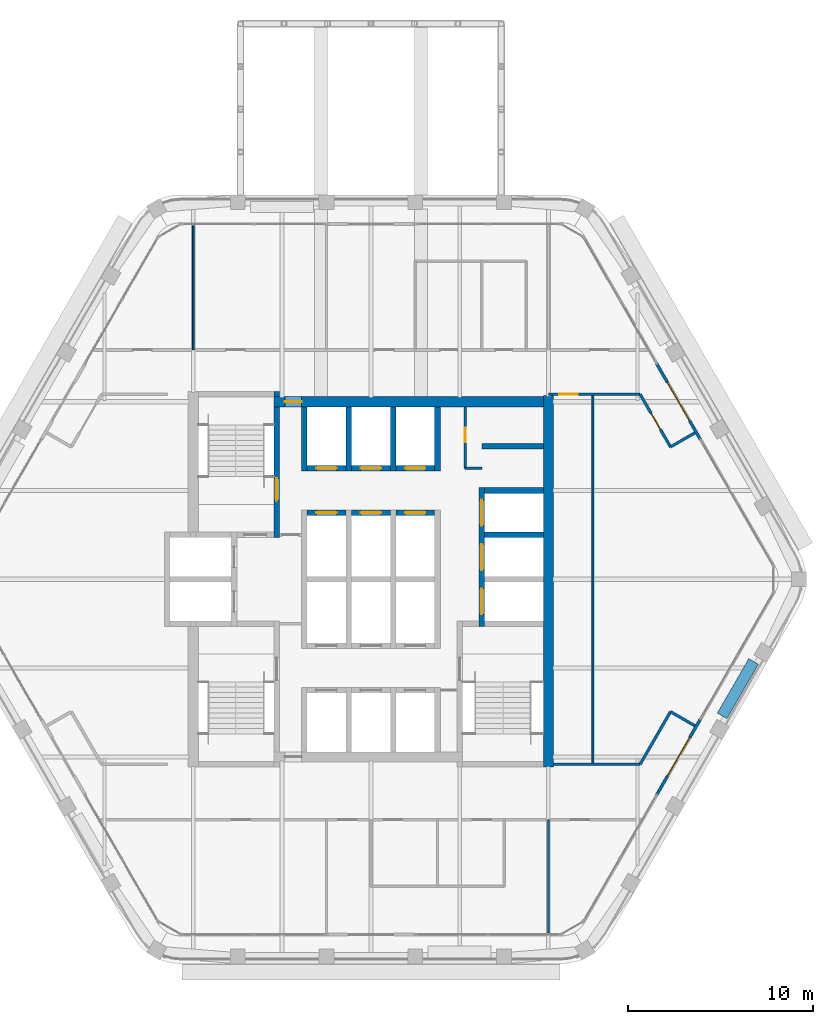
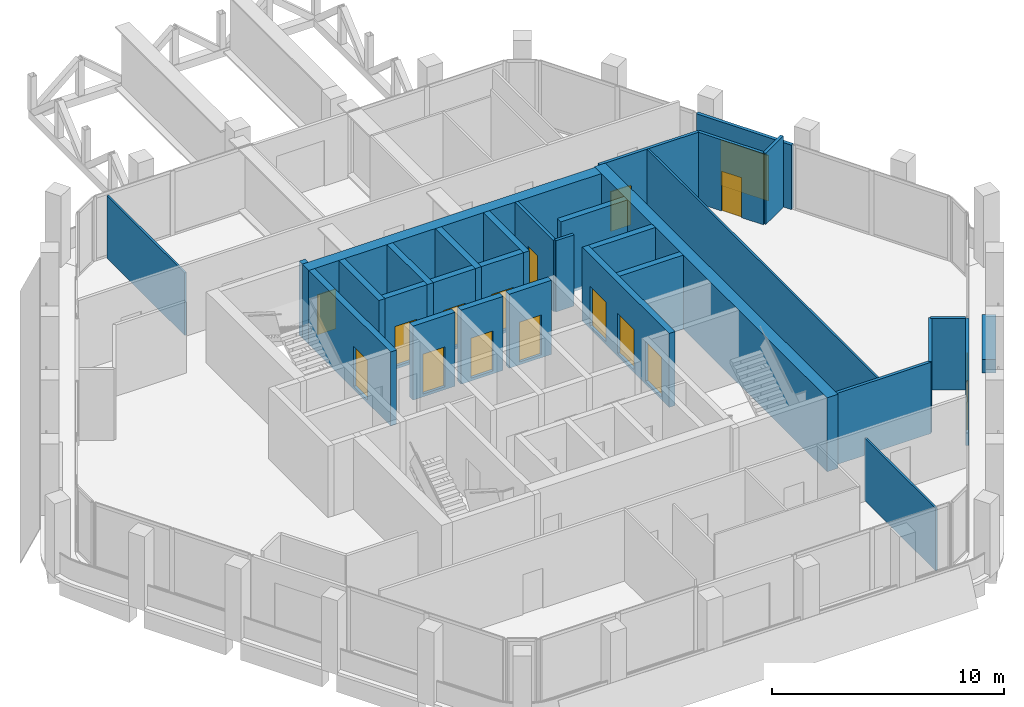
# One storey, part 10 of 14: 32 walls, 16 doors, 16 openings.
"""IFC4 building model written with IfcOpenShell, lengths in metres."""

from ifc_helpers import new_model, si_unit, direction, frame, frame_2d, origin, place, context, subcontext, project, spatial, rectangle, extrude, material, layer, layer_set, type_object, element, fill, save


model = new_model("IFC4")

# Units and contexts
model_context = context("Model", 3, precision=1e-05, world=origin(), true_north=direction((0.0, 1.0)))
body_context = subcontext(model_context, "Body", "Model", "MODEL_VIEW")
ifc_project = project(units=[si_unit("LENGTHUNIT", "METRE"), si_unit("AREAUNIT", "SQUARE_METRE"), si_unit("VOLUMEUNIT", "CUBIC_METRE"), si_unit("PLANEANGLEUNIT", "RADIAN"), si_unit("MASSUNIT", "GRAM", prefix="KILO")], contexts=[model_context])

# Site, building, storey
site_placement = place(None, origin())
site = spatial("IfcSite", under=ifc_project, at=site_placement, CompositionType="ELEMENT")
building_placement = place(site_placement, origin())
building = spatial("IfcBuilding", under=site, at=building_placement, Name="Kolab Exchange Tower", CompositionType="ELEMENT")
storey_placement = place(building_placement, frame((0.0, 0.0, 265.699951171875)))
storey = spatial("IfcBuildingStorey", under=building, at=storey_placement, Name="L59", CompositionType="ELEMENT", Elevation=265.699951171875)

# Wall, opening, door
ifc_material_1 = material(Name="Concrete C50/60", Category="concrete")
ifc_layer_1 = layer(ifc_material_1, 0.550048828125)
ifc_layer_set_1 = layer_set([ifc_layer_1], Name="Concrete C50/60")
wall_type_1 = type_object("IfcWallType", Name="CORE WALL 550 C50/60", PredefinedType="SHEAR", material=ifc_layer_set_1)
wall_1_placement = place(storey_placement, frame((-5.25, 9.60009765625, -0.14990234375), z_axis=(0.0, 0.0, 1.0), x_axis=(1.0, 0.0, 0.0)))
wall_1 = element("IfcWall", 1, at=wall_1_placement, inside=storey, type_object=wall_type_1, Name="wall/L59/core/031", PredefinedType="SHEAR", context=body_context, shape_type="SweptSolid", body=[
    extrude(rectangle(XDim=14.574951171875, YDim=0.550048828125, at=frame_2d((7.28759765625, 0.0))), origin(), (0.0, 0.0, 1.0), 3.89990234375),
])
opening_1_placement = place(wall_1_placement, frame((0.60009765625, 0.0, 0.14990234375)))
opening_1 = element("IfcOpeningElement", 2, at=opening_1_placement, cuts=wall_1, Name="Opening D6-295", PredefinedType="OPENING", context=body_context, shape_type="SweptSolid", body=[
    extrude(rectangle(XDim=0.89990234375, YDim=2.10009765625, at=frame_2d((0.449951171875, 1.050048828125))), frame((0.0, 0.28515625, 0.0), z_axis=(0.0, -1.0, 0.0), x_axis=(1.0, 0.0, 0.0)), (0.0, 0.0, 1.0), 0.570068359375),
])
ifc_material_2 = material(Name="Steel S235", Category="steel")
door_type_1 = type_object("IfcDoorType", Name="CORE DOOR 900 EI 120", OperationType="SINGLE_SWING_LEFT", PredefinedType="DOOR", material=ifc_material_2)
door_1_placement = place(opening_1_placement, frame((0.89990234375, 0.0, 0.0), z_axis=(0.0, 0.0, 1.0), x_axis=(-1.0, 0.0, 0.0)))
door_1 = element("IfcDoor", 3, at=door_1_placement, inside=storey, type_object=door_type_1, Name="Core lobby door", OperationType="SINGLE_SWING_RIGHT", OverallHeight=2.10009765625, OverallWidth=0.89990234375, PredefinedType="DOOR", context=body_context, shape_type="SweptSolid", body=[
    extrude(rectangle(XDim=0.89990234375, YDim=2.10009765625, at=frame_2d((0.449951171875, 1.050048828125))), frame((0.0, 0.02490234375, 0.0), z_axis=(0.0, -1.0, 0.0), x_axis=(1.0, 0.0, 0.0)), (0.0, 0.0, 1.0), 0.050048828125),
])
fill(opening_1, door_1)

# Wall
wall_2_placement = place(storey_placement, frame((9.60009765625, -10.14990234375, -0.14990234375), z_axis=(0.0, 0.0, 1.0), x_axis=(0.0, 1.0, 0.0)))
element("IfcWall", 4, at=wall_2_placement, inside=storey, type_object=wall_type_1, Name="wall/L59/core/058", PredefinedType="SHEAR", context=body_context, shape_type="SweptSolid", body=[
    extrude(rectangle(XDim=20.074951171875, YDim=0.550048828125, at=frame_2d((10.03759765625, 0.0))), origin(), (0.0, 0.0, 1.0), 3.89990234375),
])

# Wall, opening, door
ifc_material_3 = material(Name="Aluminium EN AW-6063 T6", Category="aluminium")
ifc_layer_2 = layer(ifc_material_3, 0.159912109375)
ifc_layer_set_2 = layer_set([ifc_layer_2], Name="Aluminium EN AW-6063 T6")
wall_type_2 = type_object("IfcWallType", Name="DOOR SURROUND WALL 160 ALUMINIUM FRAMED", PredefinedType="PARTITIONING", material=ifc_layer_set_2)
wall_3_placement = place(storey_placement, frame((15.44677734375, 11.65478515625, 0.0), z_axis=(0.0, 0.0, 1.0), x_axis=(0.499978080042, -0.866038058908, 0.0)))
wall_3 = element("IfcWall", 5, at=wall_3_placement, inside=storey, type_object=wall_type_2, Name="Door surround wall", PredefinedType="PARTITIONING", context=body_context, shape_type="SweptSolid", body=[
    extrude(rectangle(XDim=4.739990234375, YDim=0.159912109375, at=frame_2d((2.3701171875, 0.0))), origin(), (0.0, 0.0, 1.0), 3.400146484375),
])
opening_2_placement = place(wall_3_placement, frame((1.169921875, 0.0, 0.0)))
opening_2 = element("IfcOpeningElement", 6, at=opening_2_placement, cuts=wall_3, Name="Opening GD1-109", PredefinedType="OPENING", context=body_context, shape_type="SweptSolid", body=[
    extrude(rectangle(XDim=2.39990234375, YDim=2.39990234375, at=frame_2d((1.199951171875, 1.199951171875))), frame((0.0, 0.08984375, 0.0), z_axis=(0.0, -1.0, 0.0), x_axis=(1.0, 0.0, 0.0)), (0.0, 0.0, 1.0), 0.179931640625),
])
door_type_2 = type_object("IfcDoorType", Name="LOGGIA SLIDING GLASS DOOR 2400 X 2400", OperationType="DOUBLE_DOOR_SINGLE_SWING", PredefinedType="DOOR", material=ifc_material_3)
door_2_placement = place(opening_2_placement, origin())
door_2 = element("IfcDoor", 7, at=door_2_placement, inside=storey, type_object=door_type_2, Name="Loggia door", OperationType="DOUBLE_DOOR_SLIDING", OverallHeight=2.39990234375, OverallWidth=2.39990234375, PredefinedType="DOOR", context=body_context, shape_type="SweptSolid", body=[
    extrude(rectangle(XDim=2.39990234375, YDim=2.39990234375, at=frame_2d((1.199951171875, 1.199951171875))), frame((0.0, 0.02490234375, 0.0), z_axis=(0.0, -1.0, 0.0), x_axis=(1.0, 0.0, 0.0)), (0.0, 0.0, 1.0), 0.050048828125),
])
fill(opening_2, door_2)

wall_4_placement = place(storey_placement, frame((17.816650390625, -7.5498046875, 0.0), z_axis=(0.0, 0.0, 1.0), x_axis=(-0.499978080042, -0.866038058908, 0.0)))
wall_4 = element("IfcWall", 8, at=wall_4_placement, inside=storey, type_object=wall_type_2, Name="Door surround wall", PredefinedType="PARTITIONING", context=body_context, shape_type="SweptSolid", body=[
    extrude(rectangle(XDim=4.739990234375, YDim=0.159912109375, at=frame_2d((2.3701171875, 0.0))), origin(), (0.0, 0.0, 1.0), 3.400146484375),
])
opening_3_placement = place(wall_4_placement, frame((1.169921875, 0.0, 0.0)))
opening_3 = element("IfcOpeningElement", 9, at=opening_3_placement, cuts=wall_4, Name="Opening GD1-110", PredefinedType="OPENING", context=body_context, shape_type="SweptSolid", body=[
    extrude(rectangle(XDim=2.39990234375, YDim=2.39990234375, at=frame_2d((1.199951171875, 1.199951171875))), frame((0.0, 0.08984375, 0.0), z_axis=(0.0, -1.0, 0.0), x_axis=(1.0, 0.0, 0.0)), (0.0, 0.0, 1.0), 0.179931640625),
])
door_3_placement = place(opening_3_placement, origin())
door_3 = element("IfcDoor", 10, at=door_3_placement, inside=storey, type_object=door_type_2, Name="Loggia door", OperationType="DOUBLE_DOOR_SLIDING", OverallHeight=2.39990234375, OverallWidth=2.39990234375, PredefinedType="DOOR", context=body_context, shape_type="SweptSolid", body=[
    extrude(rectangle(XDim=2.39990234375, YDim=2.39990234375, at=frame_2d((1.199951171875, 1.199951171875))), frame((0.0, 0.02490234375, 0.0), z_axis=(0.0, -1.0, 0.0), x_axis=(1.0, 0.0, 0.0)), (0.0, 0.0, 1.0), 0.050048828125),
])
fill(opening_3, door_3)

# Wall
ifc_layer_3 = layer(ifc_material_1, 0.300048828125)
ifc_layer_set_3 = layer_set([ifc_layer_3], Name="Concrete C50/60")
wall_type_3 = type_object("IfcWallType", Name="LIFT SHAFT WALL 300 C50/60", PredefinedType="STANDARD", material=ifc_layer_set_3)
wall_5_placement = place(storey_placement, frame((6.14990234375, 2.39990234375, -0.14990234375), z_axis=(0.0, 0.0, 1.0), x_axis=(1.0, 0.0, 0.0)))
element("IfcWall", 11, at=wall_5_placement, inside=storey, type_object=wall_type_3, Name="wall/L59/core/022", PredefinedType="STANDARD", context=body_context, shape_type="SweptSolid", body=[
    extrude(rectangle(XDim=3.175048828125, YDim=0.300048828125, at=frame_2d((1.58740234375, 0.0))), origin(), (0.0, 0.0, 1.0), 3.89990234375),
])

# Wall, opening, door
wall_6_placement = place(storey_placement, frame((-3.449951171875, 3.60009765625, -0.14990234375), z_axis=(0.0, 0.0, 1.0), x_axis=(1.0, 0.0, 0.0)))
wall_6 = element("IfcWall", 12, at=wall_6_placement, inside=storey, type_object=wall_type_3, Name="wall/L59/core/023", PredefinedType="STANDARD", context=body_context, shape_type="SweptSolid", body=[
    extrude(rectangle(XDim=2.099853515625, YDim=0.300048828125, at=frame_2d((1.0498046875, 0.0))), origin(), (0.0, 0.0, 1.0), 3.89990234375),
])
opening_4_placement = place(wall_6_placement, frame((0.5, 0.0, 0.14990234375)))
opening_4 = element("IfcOpeningElement", 13, at=opening_4_placement, cuts=wall_6, Name="Opening LD1-115", PredefinedType="OPENING", context=body_context, shape_type="SweptSolid", body=[
    extrude(rectangle(XDim=1.10009765625, YDim=2.10009765625, at=frame_2d((0.550048828125, 1.050048828125))), frame((0.0, 0.16015625, 0.0), z_axis=(0.0, -1.0, 0.0), x_axis=(1.0, 0.0, 0.0)), (0.0, 0.0, 1.0), 0.320068359375),
])
ifc_material_4 = material(Name="Stainless steel 316", Category="steel")
door_type_3 = type_object("IfcDoorType", Name="LANDING DOOR 1100 PASSENGER", OperationType="DOUBLE_DOOR_SLIDING", PredefinedType="DOOR", material=ifc_material_4)
door_4_placement = place(opening_4_placement, origin())
door_4 = element("IfcDoor", 14, at=door_4_placement, inside=storey, type_object=door_type_3, Name="Landing door HR4", OperationType="DOUBLE_DOOR_SLIDING", OverallHeight=2.10009765625, OverallWidth=1.10009765625, PredefinedType="DOOR", context=body_context, shape_type="SweptSolid", body=[
    extrude(rectangle(XDim=1.10009765625, YDim=2.10009765625, at=frame_2d((0.550048828125, 1.050048828125))), frame((0.0, 0.02490234375, 0.0), z_axis=(0.0, -1.0, 0.0), x_axis=(1.0, 0.0, 0.0)), (0.0, 0.0, 1.0), 0.050048828125),
])
fill(opening_4, door_4)

wall_7_placement = place(storey_placement, frame((-1.050048828125, 3.60009765625, -0.14990234375), z_axis=(0.0, 0.0, 1.0), x_axis=(1.0, 0.0, 0.0)))
wall_7 = element("IfcWall", 15, at=wall_7_placement, inside=storey, type_object=wall_type_3, Name="wall/L59/core/024", PredefinedType="STANDARD", context=body_context, shape_type="SweptSolid", body=[
    extrude(rectangle(XDim=2.10009765625, YDim=0.300048828125, at=frame_2d((1.050048828125, 0.0))), origin(), (0.0, 0.0, 1.0), 3.89990234375),
])
opening_5_placement = place(wall_7_placement, frame((0.5, 0.0, 0.14990234375)))
opening_5 = element("IfcOpeningElement", 16, at=opening_5_placement, cuts=wall_7, Name="Opening LD1-116", PredefinedType="OPENING", context=body_context, shape_type="SweptSolid", body=[
    extrude(rectangle(XDim=1.10009765625, YDim=2.10009765625, at=frame_2d((0.550048828125, 1.050048828125))), frame((0.0, 0.16015625, 0.0), z_axis=(0.0, -1.0, 0.0), x_axis=(1.0, 0.0, 0.0)), (0.0, 0.0, 1.0), 0.320068359375),
])
door_5_placement = place(opening_5_placement, origin())
door_5 = element("IfcDoor", 17, at=door_5_placement, inside=storey, type_object=door_type_3, Name="Landing door HR5", OperationType="DOUBLE_DOOR_SLIDING", OverallHeight=2.10009765625, OverallWidth=1.10009765625, PredefinedType="DOOR", context=body_context, shape_type="SweptSolid", body=[
    extrude(rectangle(XDim=1.10009765625, YDim=2.10009765625, at=frame_2d((0.550048828125, 1.050048828125))), frame((0.0, 0.02490234375, 0.0), z_axis=(0.0, -1.0, 0.0), x_axis=(1.0, 0.0, 0.0)), (0.0, 0.0, 1.0), 0.050048828125),
])
fill(opening_5, door_5)

wall_8_placement = place(storey_placement, frame((1.35009765625, 3.60009765625, -0.14990234375), z_axis=(0.0, 0.0, 1.0), x_axis=(1.0, 0.0, 0.0)))
wall_8 = element("IfcWall", 18, at=wall_8_placement, inside=storey, type_object=wall_type_3, Name="wall/L59/core/025", PredefinedType="STANDARD", context=body_context, shape_type="SweptSolid", body=[
    extrude(rectangle(XDim=2.099853515625, YDim=0.300048828125, at=frame_2d((1.0498046875, 0.0))), origin(), (0.0, 0.0, 1.0), 3.89990234375),
])
opening_6_placement = place(wall_8_placement, frame((0.5, 0.0, 0.14990234375)))
opening_6 = element("IfcOpeningElement", 19, at=opening_6_placement, cuts=wall_8, Name="Opening LD1-117", PredefinedType="OPENING", context=body_context, shape_type="SweptSolid", body=[
    extrude(rectangle(XDim=1.10009765625, YDim=2.10009765625, at=frame_2d((0.550048828125, 1.050048828125))), frame((0.0, 0.16015625, 0.0), z_axis=(0.0, -1.0, 0.0), x_axis=(1.0, 0.0, 0.0)), (0.0, 0.0, 1.0), 0.320068359375),
])
door_6_placement = place(opening_6_placement, origin())
door_6 = element("IfcDoor", 20, at=door_6_placement, inside=storey, type_object=door_type_3, Name="Landing door HR6", OperationType="DOUBLE_DOOR_SLIDING", OverallHeight=2.10009765625, OverallWidth=1.10009765625, PredefinedType="DOOR", context=body_context, shape_type="SweptSolid", body=[
    extrude(rectangle(XDim=1.10009765625, YDim=2.10009765625, at=frame_2d((0.550048828125, 1.050048828125))), frame((0.0, 0.02490234375, 0.0), z_axis=(0.0, -1.0, 0.0), x_axis=(1.0, 0.0, 0.0)), (0.0, 0.0, 1.0), 0.050048828125),
])
fill(opening_6, door_6)

# Wall
wall_9_placement = place(storey_placement, frame((6.14990234375, 4.800048828125, -0.14990234375), z_axis=(0.0, 0.0, 1.0), x_axis=(1.0, 0.0, 0.0)))
element("IfcWall", 21, at=wall_9_placement, inside=storey, type_object=wall_type_3, Name="wall/L59/core/026", PredefinedType="STANDARD", context=body_context, shape_type="SweptSolid", body=[
    extrude(rectangle(XDim=3.175048828125, YDim=0.300048828125, at=frame_2d((1.58740234375, 0.0))), origin(), (0.0, 0.0, 1.0), 3.89990234375),
])

# Wall, opening, door
wall_10_placement = place(storey_placement, frame((-3.449951171875, 6.0, -0.14990234375), z_axis=(0.0, 0.0, 1.0), x_axis=(1.0, 0.0, 0.0)))
wall_10 = element("IfcWall", 22, at=wall_10_placement, inside=storey, type_object=wall_type_3, Name="wall/L59/core/027", PredefinedType="STANDARD", context=body_context, shape_type="SweptSolid", body=[
    extrude(rectangle(XDim=2.099853515625, YDim=0.300048828125, at=frame_2d((1.0498046875, 0.0))), origin(), (0.0, 0.0, 1.0), 3.89990234375),
])
opening_7_placement = place(wall_10_placement, frame((0.5, 0.0, 0.14990234375)))
opening_7 = element("IfcOpeningElement", 23, at=opening_7_placement, cuts=wall_10, Name="Opening LD1-109", PredefinedType="OPENING", context=body_context, shape_type="SweptSolid", body=[
    extrude(rectangle(XDim=1.10009765625, YDim=2.10009765625, at=frame_2d((0.550048828125, 1.050048828125))), frame((0.0, 0.16015625, 0.0), z_axis=(0.0, -1.0, 0.0), x_axis=(1.0, 0.0, 0.0)), (0.0, 0.0, 1.0), 0.320068359375),
])
door_7_placement = place(opening_7_placement, origin())
door_7 = element("IfcDoor", 24, at=door_7_placement, inside=storey, type_object=door_type_3, Name="Landing door HR1", OperationType="DOUBLE_DOOR_SLIDING", OverallHeight=2.10009765625, OverallWidth=1.10009765625, PredefinedType="DOOR", context=body_context, shape_type="SweptSolid", body=[
    extrude(rectangle(XDim=1.10009765625, YDim=2.10009765625, at=frame_2d((0.550048828125, 1.050048828125))), frame((0.0, 0.02490234375, 0.0), z_axis=(0.0, -1.0, 0.0), x_axis=(1.0, 0.0, 0.0)), (0.0, 0.0, 1.0), 0.050048828125),
])
fill(opening_7, door_7)

wall_11_placement = place(storey_placement, frame((-1.050048828125, 6.0, -0.14990234375), z_axis=(0.0, 0.0, 1.0), x_axis=(1.0, 0.0, 0.0)))
wall_11 = element("IfcWall", 25, at=wall_11_placement, inside=storey, type_object=wall_type_3, Name="wall/L59/core/028", PredefinedType="STANDARD", context=body_context, shape_type="SweptSolid", body=[
    extrude(rectangle(XDim=2.10009765625, YDim=0.300048828125, at=frame_2d((1.050048828125, 0.0))), origin(), (0.0, 0.0, 1.0), 3.89990234375),
])
opening_8_placement = place(wall_11_placement, frame((0.5, 0.0, 0.14990234375)))
opening_8 = element("IfcOpeningElement", 26, at=opening_8_placement, cuts=wall_11, Name="Opening LD1-113", PredefinedType="OPENING", context=body_context, shape_type="SweptSolid", body=[
    extrude(rectangle(XDim=1.10009765625, YDim=2.10009765625, at=frame_2d((0.550048828125, 1.050048828125))), frame((0.0, 0.16015625, 0.0), z_axis=(0.0, -1.0, 0.0), x_axis=(1.0, 0.0, 0.0)), (0.0, 0.0, 1.0), 0.320068359375),
])
door_8_placement = place(opening_8_placement, origin())
door_8 = element("IfcDoor", 27, at=door_8_placement, inside=storey, type_object=door_type_3, Name="Landing door HR2", OperationType="DOUBLE_DOOR_SLIDING", OverallHeight=2.10009765625, OverallWidth=1.10009765625, PredefinedType="DOOR", context=body_context, shape_type="SweptSolid", body=[
    extrude(rectangle(XDim=1.10009765625, YDim=2.10009765625, at=frame_2d((0.550048828125, 1.050048828125))), frame((0.0, 0.02490234375, 0.0), z_axis=(0.0, -1.0, 0.0), x_axis=(1.0, 0.0, 0.0)), (0.0, 0.0, 1.0), 0.050048828125),
])
fill(opening_8, door_8)

wall_12_placement = place(storey_placement, frame((1.35009765625, 6.0, -0.14990234375), z_axis=(0.0, 0.0, 1.0), x_axis=(1.0, 0.0, 0.0)))
wall_12 = element("IfcWall", 28, at=wall_12_placement, inside=storey, type_object=wall_type_3, Name="wall/L59/core/029", PredefinedType="STANDARD", context=body_context, shape_type="SweptSolid", body=[
    extrude(rectangle(XDim=2.099853515625, YDim=0.300048828125, at=frame_2d((1.0498046875, 0.0))), origin(), (0.0, 0.0, 1.0), 3.89990234375),
])
opening_9_placement = place(wall_12_placement, frame((0.5, 0.0, 0.14990234375)))
opening_9 = element("IfcOpeningElement", 29, at=opening_9_placement, cuts=wall_12, Name="Opening LD1-114", PredefinedType="OPENING", context=body_context, shape_type="SweptSolid", body=[
    extrude(rectangle(XDim=1.10009765625, YDim=2.10009765625, at=frame_2d((0.550048828125, 1.050048828125))), frame((0.0, 0.16015625, 0.0), z_axis=(0.0, -1.0, 0.0), x_axis=(1.0, 0.0, 0.0)), (0.0, 0.0, 1.0), 0.320068359375),
])
door_9_placement = place(opening_9_placement, origin())
door_9 = element("IfcDoor", 30, at=door_9_placement, inside=storey, type_object=door_type_3, Name="Landing door HR3", OperationType="DOUBLE_DOOR_SLIDING", OverallHeight=2.10009765625, OverallWidth=1.10009765625, PredefinedType="DOOR", context=body_context, shape_type="SweptSolid", body=[
    extrude(rectangle(XDim=1.10009765625, YDim=2.10009765625, at=frame_2d((0.550048828125, 1.050048828125))), frame((0.0, 0.02490234375, 0.0), z_axis=(0.0, -1.0, 0.0), x_axis=(1.0, 0.0, 0.0)), (0.0, 0.0, 1.0), 0.050048828125),
])
fill(opening_9, door_9)

# Walls
wall_13_placement = place(storey_placement, frame((6.0, 7.199951171875, -0.14990234375), z_axis=(0.0, 0.0, 1.0), x_axis=(1.0, 0.0, 0.0)))
element("IfcWall", 31, at=wall_13_placement, inside=storey, type_object=wall_type_3, Name="wall/L59/core/030", PredefinedType="STANDARD", context=body_context, shape_type="SweptSolid", body=[
    extrude(rectangle(XDim=3.324951171875, YDim=0.300048828125, at=frame_2d((1.66259765625, 0.0))), origin(), (0.0, 0.0, 1.0), 3.89990234375),
])
for number, where, z_axis, x_axis, name in (
    (32, (-3.60009765625, 5.85009765625, -0.14990234375), (0.0, 0.0, 1.0), (0.0, 1.0, 0.0), "wall/L59/core/045"),
    (33, (-1.199951171875, 5.85009765625, -0.14990234375), (0.0, 0.0, 1.0), (0.0, 1.0, 0.0), "wall/L59/core/048"),
    (34, (1.199951171875, 5.85009765625, -0.14990234375), (0.0, 0.0, 1.0), (0.0, 1.0, 0.0), "wall/L59/core/051"),
    (35, (3.60009765625, 5.85009765625, -0.14990234375), (0.0, 0.0, 1.0), (0.0, 1.0, 0.0), "wall/L59/core/054"),
):
    element("IfcWall", number, at=place(storey_placement, frame(where, z_axis=z_axis, x_axis=x_axis)), inside=storey, type_object=wall_type_3, Name=name, PredefinedType="STANDARD", context=body_context, shape_type="SweptSolid", body=[
        extrude(rectangle(XDim=3.474853515625, YDim=0.300048828125, at=frame_2d((1.7373046875, 0.0))), origin(), (0.0, 0.0, 1.0), 3.89990234375),
    ])

# Wall, openings, doors
wall_14_placement = place(storey_placement, frame((6.0, -2.550048828125, -0.14990234375), z_axis=(0.0, 0.0, 1.0), x_axis=(0.0, 1.0, 0.0)))
wall_14 = element("IfcWall", 36, at=wall_14_placement, inside=storey, type_object=wall_type_3, Name="wall/L59/core/057", PredefinedType="STANDARD", context=body_context, shape_type="SweptSolid", body=[
    extrude(rectangle(XDim=7.5, YDim=0.300048828125, at=frame_2d((3.75, 0.0))), origin(), (0.0, 0.0, 1.0), 3.89990234375),
])
opening_10_placement = place(wall_14_placement, frame((0.64990234375, 0.0, 0.14990234375)))
opening_10 = element("IfcOpeningElement", 37, at=opening_10_placement, cuts=wall_14, Name="Opening LD3-037", PredefinedType="OPENING", context=body_context, shape_type="SweptSolid", body=[
    extrude(rectangle(XDim=1.39990234375, YDim=2.10009765625, at=frame_2d((0.699951171875, 1.050048828125))), frame((0.0, 0.16015625, 0.0), z_axis=(0.0, -1.0, 0.0), x_axis=(1.0, 0.0, 0.0)), (0.0, 0.0, 1.0), 0.320068359375),
])
opening_11_placement = place(wall_14_placement, frame((3.050048828125, 0.0, 0.14990234375)))
opening_11 = element("IfcOpeningElement", 38, at=opening_11_placement, cuts=wall_14, Name="Opening LD3-038", PredefinedType="OPENING", context=body_context, shape_type="SweptSolid", body=[
    extrude(rectangle(XDim=1.39990234375, YDim=2.10009765625, at=frame_2d((0.699951171875, 1.050048828125))), frame((0.0, 0.16015625, 0.0), z_axis=(0.0, -1.0, 0.0), x_axis=(1.0, 0.0, 0.0)), (0.0, 0.0, 1.0), 0.320068359375),
])
opening_12_placement = place(wall_14_placement, frame((5.449951171875, 0.0, 0.14990234375)))
opening_12 = element("IfcOpeningElement", 39, at=opening_12_placement, cuts=wall_14, Name="Opening LD3-039", PredefinedType="OPENING", context=body_context, shape_type="SweptSolid", body=[
    extrude(rectangle(XDim=1.39990234375, YDim=2.10009765625, at=frame_2d((0.699951171875, 1.050048828125))), frame((0.0, 0.16015625, 0.0), z_axis=(0.0, -1.0, 0.0), x_axis=(1.0, 0.0, 0.0)), (0.0, 0.0, 1.0), 0.320068359375),
])
door_type_4 = type_object("IfcDoorType", Name="LANDING DOOR 1400 SERVICE", OperationType="DOUBLE_DOOR_SLIDING", PredefinedType="DOOR", material=ifc_material_4)
door_10_placement = place(opening_10_placement, origin())
door_10 = element("IfcDoor", 40, at=door_10_placement, inside=storey, type_object=door_type_4, Name="Landing door SV1", OperationType="DOUBLE_DOOR_SLIDING", OverallHeight=2.10009765625, OverallWidth=1.39990234375, PredefinedType="DOOR", context=body_context, shape_type="SweptSolid", body=[
    extrude(rectangle(XDim=1.39990234375, YDim=2.10009765625, at=frame_2d((0.699951171875, 1.050048828125))), frame((0.0, 0.02490234375, 0.0), z_axis=(0.0, -1.0, 0.0), x_axis=(1.0, 0.0, 0.0)), (0.0, 0.0, 1.0), 0.050048828125),
])
fill(opening_10, door_10)
door_11_placement = place(opening_11_placement, origin())
door_11 = element("IfcDoor", 41, at=door_11_placement, inside=storey, type_object=door_type_4, Name="Landing door SV2", OperationType="DOUBLE_DOOR_SLIDING", OverallHeight=2.10009765625, OverallWidth=1.39990234375, PredefinedType="DOOR", context=body_context, shape_type="SweptSolid", body=[
    extrude(rectangle(XDim=1.39990234375, YDim=2.10009765625, at=frame_2d((0.699951171875, 1.050048828125))), frame((0.0, 0.02490234375, 0.0), z_axis=(0.0, -1.0, 0.0), x_axis=(1.0, 0.0, 0.0)), (0.0, 0.0, 1.0), 0.050048828125),
])
fill(opening_11, door_11)
door_12_placement = place(opening_12_placement, origin())
door_12 = element("IfcDoor", 42, at=door_12_placement, inside=storey, type_object=door_type_4, Name="Landing door SV3", OperationType="DOUBLE_DOOR_SLIDING", OverallHeight=2.10009765625, OverallWidth=1.39990234375, PredefinedType="DOOR", context=body_context, shape_type="SweptSolid", body=[
    extrude(rectangle(XDim=1.39990234375, YDim=2.10009765625, at=frame_2d((0.699951171875, 1.050048828125))), frame((0.0, 0.02490234375, 0.0), z_axis=(0.0, -1.0, 0.0), x_axis=(1.0, 0.0, 0.0)), (0.0, 0.0, 1.0), 0.050048828125),
])
fill(opening_12, door_12)

# Walls
ifc_material_5 = material(Name="Gypsum board", Category="gypsum")
ifc_layer_4 = layer(ifc_material_5, 0.10009765625)
ifc_layer_set_4 = layer_set([ifc_layer_4], Name="Gypsum board")
wall_type_4 = type_object("IfcWallType", Name="PARTITION 100", PredefinedType="PARTITIONING", material=ifc_layer_set_4)
wall_15_placement = place(storey_placement, frame((12.0, -10.0, 0.0), z_axis=(0.0, 0.0, 1.0), x_axis=(0.0, 1.0, 0.0)))
element("IfcWall", 43, at=wall_15_placement, inside=storey, type_object=wall_type_4, Name="Partition 000", PredefinedType="PARTITIONING", context=body_context, shape_type="SweptSolid", body=[
    extrude(rectangle(XDim=20.0, YDim=0.10009765625, at=frame_2d((10.0, 0.0))), origin(), (0.0, 0.0, 1.0), 3.75),
])
wall_16_placement = place(storey_placement, frame((9.60009765625, -19.114501953125, 0.0), z_axis=(0.0, 0.0, 1.0), x_axis=(0.0, 1.0, 0.0)))
element("IfcWall", 44, at=wall_16_placement, inside=storey, type_object=wall_type_4, Name="Partition 001", PredefinedType="PARTITIONING", context=body_context, shape_type="SweptSolid", body=[
    extrude(rectangle(XDim=6.114501953125, YDim=0.10009765625, at=frame_2d((3.05712890625, 0.0))), origin(), (0.0, 0.0, 1.0), 3.29296875),
])
wall_17_placement = place(storey_placement, frame((-9.60009765625, 12.39990234375, 0.0), z_axis=(0.0, 0.0, 1.0), x_axis=(0.0, 1.0, 0.0)))
element("IfcWall", 45, at=wall_17_placement, inside=storey, type_object=wall_type_4, Name="Partition 012", PredefinedType="PARTITIONING", context=body_context, shape_type="SweptSolid", body=[
    extrude(rectangle(XDim=6.714599609375, YDim=0.10009765625, at=frame_2d((3.357421875, 0.0))), origin(), (0.0, 0.0, 1.0), 3.29296875),
])

# Wall, opening, door
ifc_layer_5 = layer(ifc_material_5, 0.14990234375)
ifc_layer_set_5 = layer_set([ifc_layer_5], Name="Gypsum board")
wall_type_5 = type_object("IfcWallType", Name="PARTITION 150 FIRE-RATED", PredefinedType="PARTITIONING", material=ifc_layer_set_5)
wall_18_placement = place(storey_placement, frame((5.10009765625, 6.0, 0.0), z_axis=(0.0, 0.0, 1.0), x_axis=(0.0, 1.0, 0.0)))
wall_18 = element("IfcWall", 46, at=wall_18_placement, inside=storey, type_object=wall_type_5, Name="Partition 006", PredefinedType="PARTITIONING", context=body_context, shape_type="SweptSolid", body=[
    extrude(rectangle(XDim=3.324951171875, YDim=0.14990234375, at=frame_2d((1.66259765625, 0.0))), origin(), (0.0, 0.0, 1.0), 3.75),
])
opening_13_placement = place(wall_18_placement, frame((1.39990234375, 0.0, 0.0)))
opening_13 = element("IfcOpeningElement", 47, at=opening_13_placement, cuts=wall_18, Name="Opening D7-042", PredefinedType="OPENING", context=body_context, shape_type="SweptSolid", body=[
    extrude(rectangle(XDim=0.800048828125, YDim=2.10009765625, at=frame_2d((0.39990234375, 1.050048828125))), frame((0.0, 0.0849609375, 0.0), z_axis=(0.0, -1.0, 0.0), x_axis=(1.0, 0.0, 0.0)), (0.0, 0.0, 1.0), 0.169921875),
])
door_type_5 = type_object("IfcDoorType", Name="FLUSH DOOR 800 FD60", OperationType="SINGLE_SWING_LEFT", PredefinedType="DOOR", material=ifc_material_2)
door_13_placement = place(opening_13_placement, frame((0.800048828125, 0.0, 0.0), z_axis=(0.0, 0.0, 1.0), x_axis=(-1.0, 0.0, 0.0)))
door_13 = element("IfcDoor", 48, at=door_13_placement, inside=storey, type_object=door_type_5, Name="Door L59-023", OperationType="SINGLE_SWING_LEFT", OverallHeight=2.10009765625, OverallWidth=0.800048828125, PredefinedType="DOOR", context=body_context, shape_type="SweptSolid", body=[
    extrude(rectangle(XDim=0.800048828125, YDim=2.10009765625, at=frame_2d((0.39990234375, 1.050048828125))), frame((0.0, 0.02490234375, 0.0), z_axis=(0.0, -1.0, 0.0), x_axis=(1.0, 0.0, 0.0)), (0.0, 0.0, 1.0), 0.050048828125),
])
fill(opening_13, door_13)

wall_19_placement = place(storey_placement, frame((14.5546875, 10.0, 0.0), z_axis=(0.0, 0.0, 1.0), x_axis=(0.499954196102, -0.866051847062, 0.0)))
wall_19 = element("IfcWall", 49, at=wall_19_placement, inside=storey, type_object=wall_type_5, Name="Partition 014", PredefinedType="PARTITIONING", context=body_context, shape_type="SweptSolid", body=[
    extrude(rectangle(XDim=3.282958984375, YDim=0.14990234375, at=frame_2d((1.6416015625, 0.0))), origin(), (0.0, 0.0, 1.0), 3.75),
])
opening_14_placement = place(wall_19_placement, frame((1.187255859375, 0.0, 0.0)))
opening_14 = element("IfcOpeningElement", 50, at=opening_14_placement, cuts=wall_19, Name="Opening D1-721", PredefinedType="OPENING", context=body_context, shape_type="SweptSolid", body=[
    extrude(rectangle(XDim=1.0, YDim=2.10009765625, at=frame_2d((0.5, 1.050048828125))), frame((0.0, 0.0849609375, 0.0), z_axis=(0.0, -1.0, 0.0), x_axis=(1.0, 0.0, 0.0)), (0.0, 0.0, 1.0), 0.169921875),
])
door_type_6 = type_object("IfcDoorType", Name="FLUSH DOOR 1000 FD60", OperationType="SINGLE_SWING_LEFT", PredefinedType="DOOR", material=ifc_material_2)
door_14_placement = place(opening_14_placement, frame((1.0, 0.0, 0.0), z_axis=(0.0, 0.0, 1.0), x_axis=(-1.0, 0.0, 0.0)))
door_14 = element("IfcDoor", 51, at=door_14_placement, inside=storey, type_object=door_type_6, Name="Door L59-041", OperationType="SINGLE_SWING_LEFT", OverallHeight=2.10009765625, OverallWidth=1.0, PredefinedType="DOOR", context=body_context, shape_type="SweptSolid", body=[
    extrude(rectangle(XDim=1.0, YDim=2.10009765625, at=frame_2d((0.5, 1.050048828125))), frame((0.0, 0.02490234375, 0.0), z_axis=(0.0, -1.0, 0.0), x_axis=(1.0, 0.0, 0.0)), (0.0, 0.0, 1.0), 0.050048828125),
])
fill(opening_14, door_14)

# Walls
wall_20_placement = place(storey_placement, frame((14.5546875, -10.0, 0.0), z_axis=(0.0, 0.0, 1.0), x_axis=(0.499954196102, 0.866051847062, 0.0)))
element("IfcWall", 52, at=wall_20_placement, inside=storey, type_object=wall_type_5, Name="Partition 015", PredefinedType="PARTITIONING", context=body_context, shape_type="SweptSolid", body=[
    extrude(rectangle(XDim=3.282958984375, YDim=0.14990234375, at=frame_2d((1.6416015625, 0.0))), origin(), (0.0, 0.0, 1.0), 3.75),
])
for number, where, z_axis, x_axis, name in (
    (53, (16.196044921875, -7.15673828125, 0.0), (0.0, 0.0, 1.0), (0.865960906633, -0.500111695708, 0.0), "Partition 018"),
    (54, (16.196044921875, 7.15673828125, 0.0), (0.0, 0.0, 1.0), (0.865960906633, 0.500111695708, 0.0), "Partition 019"),
):
    element("IfcWall", number, at=place(storey_placement, frame(where, z_axis=z_axis, x_axis=x_axis)), inside=storey, type_object=wall_type_5, Name=name, PredefinedType="PARTITIONING", context=body_context, shape_type="SweptSolid", body=[
        extrude(rectangle(XDim=1.520263671875, YDim=0.14990234375, at=frame_2d((0.76025390625, 0.0))), origin(), (0.0, 0.0, 1.0), 3.75),
    ])
wall_21_placement = place(storey_placement, frame((9.875, -10.0, 0.0), z_axis=(0.0, 0.0, 1.0), x_axis=(1.0, 0.0, 0.0)))
element("IfcWall", 55, at=wall_21_placement, inside=storey, type_object=wall_type_5, Name="Partition 024", PredefinedType="PARTITIONING", context=body_context, shape_type="SweptSolid", body=[
    extrude(rectangle(XDim=4.6796875, YDim=0.14990234375, at=frame_2d((2.33984375, 0.0))), origin(), (0.0, 0.0, 1.0), 3.75),
])
wall_22_placement = place(storey_placement, frame((5.10009765625, 6.0, 0.0), z_axis=(0.0, 0.0, 1.0), x_axis=(1.0, 0.0, 0.0)))
element("IfcWall", 56, at=wall_22_placement, inside=storey, type_object=wall_type_5, Name="Partition 026", PredefinedType="PARTITIONING", context=body_context, shape_type="SweptSolid", body=[
    extrude(rectangle(XDim=0.89990234375, YDim=0.14990234375, at=frame_2d((0.449951171875, 0.0))), origin(), (0.0, 0.0, 1.0), 3.75),
])

# Wall, opening, door
wall_23_placement = place(storey_placement, frame((9.60009765625, 10.0, 0.0), z_axis=(0.0, 0.0, 1.0), x_axis=(1.0, 0.0, 0.0)))
wall_23 = element("IfcWall", 57, at=wall_23_placement, inside=storey, type_object=wall_type_5, Name="Partition 028", PredefinedType="PARTITIONING", context=body_context, shape_type="SweptSolid", body=[
    extrude(rectangle(XDim=4.95458984375, YDim=0.14990234375, at=frame_2d((2.477294921875, 0.0))), origin(), (0.0, 0.0, 1.0), 3.75),
])
opening_15_placement = place(wall_23_placement, frame((0.574951171875, 0.0, 0.0)))
opening_15 = element("IfcOpeningElement", 58, at=opening_15_placement, cuts=wall_23, Name="Opening D1-668", PredefinedType="OPENING", context=body_context, shape_type="SweptSolid", body=[
    extrude(rectangle(XDim=1.0, YDim=2.10009765625, at=frame_2d((0.5, 1.050048828125))), frame((0.0, 0.0849609375, 0.0), z_axis=(0.0, -1.0, 0.0), x_axis=(1.0, 0.0, 0.0)), (0.0, 0.0, 1.0), 0.169921875),
])
door_15_placement = place(opening_15_placement, frame((1.0, 0.0, 0.0), z_axis=(0.0, 0.0, 1.0), x_axis=(-1.0, 0.0, 0.0)))
door_15 = element("IfcDoor", 59, at=door_15_placement, inside=storey, type_object=door_type_6, Name="Door L59-040", OperationType="SINGLE_SWING_LEFT", OverallHeight=2.10009765625, OverallWidth=1.0, PredefinedType="DOOR", context=body_context, shape_type="SweptSolid", body=[
    extrude(rectangle(XDim=1.0, YDim=2.10009765625, at=frame_2d((0.5, 1.050048828125))), frame((0.0, 0.02490234375, 0.0), z_axis=(0.0, -1.0, 0.0), x_axis=(1.0, 0.0, 0.0)), (0.0, 0.0, 1.0), 0.050048828125),
])
fill(opening_15, door_15)

# Wall
ifc_material_6 = material(Name="Granite facing", Category="masonry")
ifc_layer_6 = layer(ifc_material_6, 0.0400390625)
ifc_material_7 = material(Name="Concrete C40/50 precast", Category="concrete")
ifc_layer_7 = layer(ifc_material_7, 0.56005859375)
ifc_layer_set_6 = layer_set([ifc_layer_6, ifc_layer_7], Name="Concrete C40/50 precast")
wall_type_6 = type_object("IfcWallType", Name="PLANTER BOX 600 X 700 SOIL DEPTH 550", PredefinedType="USERDEFINED", material=ifc_layer_set_6)
wall_24_placement = place(storey_placement, frame((20.68701171875, -4.438232421875, 0.0), z_axis=(0.0, 0.0, 1.0), x_axis=(-0.500008388397, -0.866020560687, 0.0)))
element("IfcWall", 60, at=wall_24_placement, inside=storey, type_object=wall_type_6, Name="Planter", ObjectType="PLANTER", PredefinedType="USERDEFINED", context=body_context, shape_type="SweptSolid", body=[
    extrude(rectangle(XDim=3.39990234375, YDim=0.60009765625, at=frame_2d((1.699951171875, 0.0))), origin(), (0.0, 0.0, 1.0), 0.699951171875),
])

# Wall, opening, door
ifc_layer_8 = layer(ifc_material_1, 0.300048828125)
ifc_layer_set_7 = layer_set([ifc_layer_8], Name="Concrete C50/60")
wall_type_7 = type_object("IfcWallType", Name="STAIR ENCLOSURE WALL 300 C50/60", PredefinedType="STANDARD", material=ifc_layer_set_7)
wall_25_placement = place(storey_placement, frame((-5.10009765625, 2.25, -0.14990234375), z_axis=(0.0, 0.0, 1.0), x_axis=(0.0, 1.0, 0.0)))
wall_25 = element("IfcWall", 61, at=wall_25_placement, inside=storey, type_object=wall_type_7, Name="wall/L59/core/041", PredefinedType="STANDARD", context=body_context, shape_type="SweptSolid", body=[
    extrude(rectangle(XDim=7.074951171875, YDim=0.300048828125, at=frame_2d((3.53759765625, 0.0))), origin(), (0.0, 0.0, 1.0), 3.89990234375),
])
opening_16_placement = place(wall_25_placement, frame((2.0, 0.0, 0.14990234375)))
opening_16 = element("IfcOpeningElement", 62, at=opening_16_placement, cuts=wall_25, Name="Opening D4-076", PredefinedType="OPENING", context=body_context, shape_type="SweptSolid", body=[
    extrude(rectangle(XDim=1.199951171875, YDim=2.10009765625, at=frame_2d((0.60009765625, 1.050048828125))), frame((0.0, 0.16015625, 0.0), z_axis=(0.0, -1.0, 0.0), x_axis=(1.0, 0.0, 0.0)), (0.0, 0.0, 1.0), 0.320068359375),
])
door_type_7 = type_object("IfcDoorType", Name="STAIR DOOR 1200 EI 120", OperationType="SINGLE_SWING_LEFT", PredefinedType="DOOR", material=ifc_material_2)
door_16_placement = place(opening_16_placement, origin())
door_16 = element("IfcDoor", 63, at=door_16_placement, inside=storey, type_object=door_type_7, Name="Stair 1 door", OperationType="SINGLE_SWING_LEFT", OverallHeight=2.10009765625, OverallWidth=1.199951171875, PredefinedType="DOOR", context=body_context, shape_type="SweptSolid", body=[
    extrude(rectangle(XDim=1.199951171875, YDim=2.10009765625, at=frame_2d((0.60009765625, 1.050048828125))), frame((0.0, 0.02490234375, 0.0), z_axis=(0.0, -1.0, 0.0), x_axis=(1.0, 0.0, 0.0)), (0.0, 0.0, 1.0), 0.050048828125),
])
fill(opening_16, door_16)

# Wall
wall_26_placement = place(storey_placement, frame((-5.10009765625, 9.875, -0.14990234375), z_axis=(0.0, 0.0, 1.0), x_axis=(0.0, 1.0, 0.0)))
element("IfcWall", 64, at=wall_26_placement, inside=storey, type_object=wall_type_7, Name="wall/L59/core/042", PredefinedType="STANDARD", context=body_context, shape_type="SweptSolid", body=[
    extrude(rectangle(XDim=0.27490234375, YDim=0.300048828125, at=frame_2d((0.137451171875, 0.0))), origin(), (0.0, 0.0, 1.0), 3.89990234375),
])

save(model, "model.ifc")
